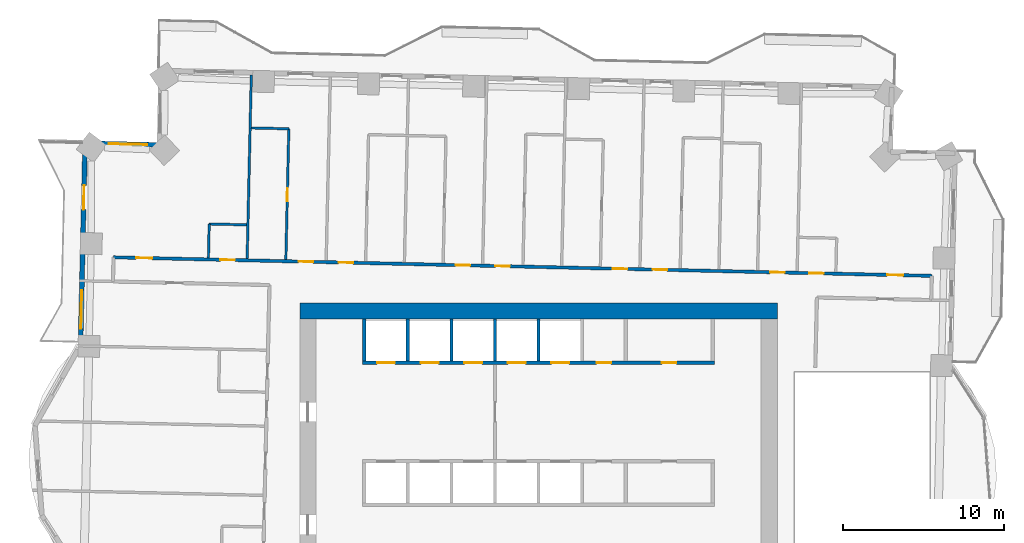
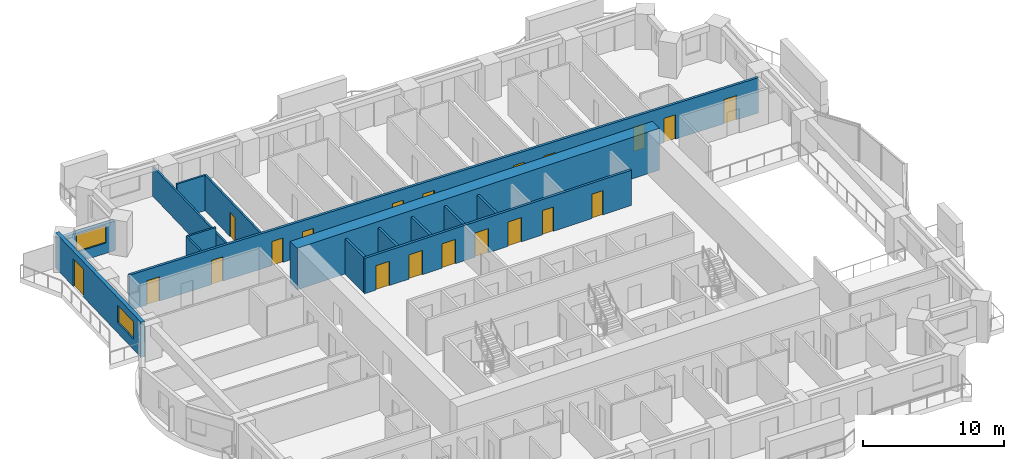
# One storey, part 10 of 16: 20 doors, 15 walls, 2 windows, 22 openings.
"""IFC4 building model written with IfcOpenShell, lengths in metres."""

from ifc_helpers import new_model, si_unit, direction, frame, frame_2d, origin, place, context, subcontext, project, spatial, rectangle, extrude, material, layer, layer_set, type_object, element, fill, save


model = new_model("IFC4")

# Units and contexts
model_context = context("Model", 3, precision=1e-05, world=origin(), true_north=direction((0.0, 1.0)))
body_context = subcontext(model_context, "Body", "Model", "MODEL_VIEW")
ifc_project = project(units=[si_unit("LENGTHUNIT", "METRE"), si_unit("AREAUNIT", "SQUARE_METRE"), si_unit("VOLUMEUNIT", "CUBIC_METRE"), si_unit("PLANEANGLEUNIT", "RADIAN"), si_unit("MASSUNIT", "GRAM", prefix="KILO")], contexts=[model_context])

# Site, building, storey
site_placement = place(None, origin())
site = spatial("IfcSite", under=ifc_project, at=site_placement, CompositionType="ELEMENT")
building_placement = place(site_placement, origin())
building = spatial("IfcBuilding", under=site, at=building_placement, Name="Mangrove Gate Tower", CompositionType="ELEMENT")
storey_placement = place(building_placement, frame((0.0, 0.0, 112.699951171875)))
storey = spatial("IfcBuildingStorey", under=building, at=storey_placement, Name="L28", CompositionType="ELEMENT", Elevation=112.699951171875)

# Wall, openings, doors
ifc_material_1 = material(Name="Concrete C70/85", Category="concrete")
ifc_layer_1 = layer(ifc_material_1, 0.199951171875)
ifc_layer_set_1 = layer_set([ifc_layer_1], Name="Core shaft wall 200 C70/85")
wall_type_1 = type_object("IfcWallType", Name="Core shaft wall 200 C70/85", PredefinedType="SHEAR", material=ifc_layer_set_1)
wall_1_placement = place(storey_placement, frame((-10.89990234375, 8.10009765625, 0.0), z_axis=(0.0, 0.0, 1.0), x_axis=(1.0, 0.0, 0.0)))
wall_1 = element("IfcWall", 1, at=wall_1_placement, inside=storey, type_object=wall_type_1, Name="WALL-L28-CORE-8", PredefinedType="SHEAR", context=body_context, shape_type="SweptSolid", body=[
    extrude(rectangle(XDim=21.7998046875, YDim=0.199951171875, at=frame_2d((10.89990234375, 0.0))), origin(), (0.0, 0.0, 1.0), 3.050048828125),
])
opening_1_placement = place(wall_1_placement, frame((0.89990234375, 0.0, 0.0)))
opening_1 = element("IfcOpeningElement", 2, at=opening_1_placement, cuts=wall_1, Name="Opening LD", PredefinedType="OPENING", context=body_context, shape_type="SweptSolid", body=[
    extrude(rectangle(XDim=1.10009765625, YDim=2.10009765625, at=frame_2d((0.550048828125, 1.050048828125))), frame((0.0, 0.10986328125, 0.0), z_axis=(0.0, -1.0, 0.0), x_axis=(1.0, 0.0, 0.0)), (0.0, 0.0, 1.0), 0.219970703125),
])
opening_2_placement = place(wall_1_placement, frame((3.60009765625, 0.0, 0.0)))
opening_2 = element("IfcOpeningElement", 3, at=opening_2_placement, cuts=wall_1, Name="Opening LD", PredefinedType="OPENING", context=body_context, shape_type="SweptSolid", body=[
    extrude(rectangle(XDim=1.10009765625, YDim=2.10009765625, at=frame_2d((0.550048828125, 1.050048828125))), frame((0.0, 0.10986328125, 0.0), z_axis=(0.0, -1.0, 0.0), x_axis=(1.0, 0.0, 0.0)), (0.0, 0.0, 1.0), 0.219970703125),
])
opening_3_placement = place(wall_1_placement, frame((6.300048828125, 0.0, 0.0)))
opening_3 = element("IfcOpeningElement", 4, at=opening_3_placement, cuts=wall_1, Name="Opening LD", PredefinedType="OPENING", context=body_context, shape_type="SweptSolid", body=[
    extrude(rectangle(XDim=1.10009765625, YDim=2.10009765625, at=frame_2d((0.550048828125, 1.050048828125))), frame((0.0, 0.10986328125, 0.0), z_axis=(0.0, -1.0, 0.0), x_axis=(1.0, 0.0, 0.0)), (0.0, 0.0, 1.0), 0.219970703125),
])
opening_4_placement = place(wall_1_placement, frame((9.0, 0.0, 0.0)))
opening_4 = element("IfcOpeningElement", 5, at=opening_4_placement, cuts=wall_1, Name="Opening LD", PredefinedType="OPENING", context=body_context, shape_type="SweptSolid", body=[
    extrude(rectangle(XDim=1.10009765625, YDim=2.10009765625, at=frame_2d((0.550048828125, 1.050048828125))), frame((0.0, 0.10986328125, 0.0), z_axis=(0.0, -1.0, 0.0), x_axis=(1.0, 0.0, 0.0)), (0.0, 0.0, 1.0), 0.219970703125),
])
opening_5_placement = place(wall_1_placement, frame((11.699951171875, 0.0, 0.0)))
opening_5 = element("IfcOpeningElement", 6, at=opening_5_placement, cuts=wall_1, Name="Opening LD", PredefinedType="OPENING", context=body_context, shape_type="SweptSolid", body=[
    extrude(rectangle(XDim=1.10009765625, YDim=2.10009765625, at=frame_2d((0.550048828125, 1.050048828125))), frame((0.0, 0.10986328125, 0.0), z_axis=(0.0, -1.0, 0.0), x_axis=(1.0, 0.0, 0.0)), (0.0, 0.0, 1.0), 0.219970703125),
])
opening_6_placement = place(wall_1_placement, frame((14.5, 0.0, 0.0)))
opening_6 = element("IfcOpeningElement", 7, at=opening_6_placement, cuts=wall_1, Name="Opening KD", PredefinedType="OPENING", context=body_context, shape_type="SweptSolid", body=[
    extrude(rectangle(XDim=0.89990234375, YDim=2.10009765625, at=frame_2d((0.449951171875, 1.050048828125))), frame((0.0, 0.10986328125, 0.0), z_axis=(0.0, -1.0, 0.0), x_axis=(1.0, 0.0, 0.0)), (0.0, 0.0, 1.0), 0.219970703125),
])
opening_7_placement = place(wall_1_placement, frame((18.550048828125, 0.0, 0.0)))
opening_7 = element("IfcOpeningElement", 8, at=opening_7_placement, cuts=wall_1, Name="Opening KD", PredefinedType="OPENING", context=body_context, shape_type="SweptSolid", body=[
    extrude(rectangle(XDim=0.89990234375, YDim=2.10009765625, at=frame_2d((0.449951171875, 1.050048828125))), frame((0.0, 0.10986328125, 0.0), z_axis=(0.0, -1.0, 0.0), x_axis=(1.0, 0.0, 0.0)), (0.0, 0.0, 1.0), 0.219970703125),
])
ifc_material_2 = material(Name="Fire-rated steel door set", Category="steel")
door_type_1 = type_object("IfcDoorType", Name="Core room door FD30S 900x2100", OperationType="SINGLE_SWING_RIGHT", PredefinedType="DOOR", material=ifc_material_2)
door_1_placement = place(opening_6_placement, origin())
door_1 = element("IfcDoor", 9, at=door_1_placement, inside=storey, type_object=door_type_1, Name="Core room door Pantry store", OperationType="SINGLE_SWING_RIGHT", OverallHeight=2.10009765625, OverallWidth=0.89990234375, PredefinedType="DOOR", context=body_context, shape_type="SweptSolid", body=[
    extrude(rectangle(XDim=0.89990234375, YDim=2.10009765625, at=frame_2d((0.449951171875, 1.050048828125))), frame((0.0, 0.02490234375, 0.0), z_axis=(0.0, -1.0, 0.0), x_axis=(1.0, 0.0, 0.0)), (0.0, 0.0, 1.0), 0.050048828125),
])
fill(opening_6, door_1)
door_2_placement = place(opening_7_placement, origin())
door_2 = element("IfcDoor", 10, at=door_2_placement, inside=storey, type_object=door_type_1, Name="Core room door Cleaner's store", OperationType="SINGLE_SWING_RIGHT", OverallHeight=2.10009765625, OverallWidth=0.89990234375, PredefinedType="DOOR", context=body_context, shape_type="SweptSolid", body=[
    extrude(rectangle(XDim=0.89990234375, YDim=2.10009765625, at=frame_2d((0.449951171875, 1.050048828125))), frame((0.0, 0.02490234375, 0.0), z_axis=(0.0, -1.0, 0.0), x_axis=(1.0, 0.0, 0.0)), (0.0, 0.0, 1.0), 0.050048828125),
])
fill(opening_7, door_2)
ifc_material_3 = material(Name="Stainless steel 316", Category="steel")
door_type_2 = type_object("IfcDoorType", Name="Lift landing door 1100x2100", OperationType="SLIDING_TO_LEFT", PredefinedType="DOOR", material=ifc_material_3)
door_3_placement = place(opening_1_placement, origin())
door_3 = element("IfcDoor", 11, at=door_3_placement, inside=storey, type_object=door_type_2, Name="Landing door LD P06", OperationType="SLIDING_TO_LEFT", OverallHeight=2.10009765625, OverallWidth=1.10009765625, PredefinedType="DOOR", context=body_context, shape_type="SweptSolid", body=[
    extrude(rectangle(XDim=1.10009765625, YDim=2.10009765625, at=frame_2d((0.550048828125, 1.050048828125))), frame((0.0, 0.02490234375, 0.0), z_axis=(0.0, -1.0, 0.0), x_axis=(1.0, 0.0, 0.0)), (0.0, 0.0, 1.0), 0.050048828125),
])
fill(opening_1, door_3)
door_4_placement = place(opening_2_placement, origin())
door_4 = element("IfcDoor", 12, at=door_4_placement, inside=storey, type_object=door_type_2, Name="Landing door LD P07", OperationType="SLIDING_TO_LEFT", OverallHeight=2.10009765625, OverallWidth=1.10009765625, PredefinedType="DOOR", context=body_context, shape_type="SweptSolid", body=[
    extrude(rectangle(XDim=1.10009765625, YDim=2.10009765625, at=frame_2d((0.550048828125, 1.050048828125))), frame((0.0, 0.02490234375, 0.0), z_axis=(0.0, -1.0, 0.0), x_axis=(1.0, 0.0, 0.0)), (0.0, 0.0, 1.0), 0.050048828125),
])
fill(opening_2, door_4)
door_5_placement = place(opening_3_placement, origin())
door_5 = element("IfcDoor", 13, at=door_5_placement, inside=storey, type_object=door_type_2, Name="Landing door LD P08", OperationType="SLIDING_TO_LEFT", OverallHeight=2.10009765625, OverallWidth=1.10009765625, PredefinedType="DOOR", context=body_context, shape_type="SweptSolid", body=[
    extrude(rectangle(XDim=1.10009765625, YDim=2.10009765625, at=frame_2d((0.550048828125, 1.050048828125))), frame((0.0, 0.02490234375, 0.0), z_axis=(0.0, -1.0, 0.0), x_axis=(1.0, 0.0, 0.0)), (0.0, 0.0, 1.0), 0.050048828125),
])
fill(opening_3, door_5)
door_6_placement = place(opening_4_placement, origin())
door_6 = element("IfcDoor", 14, at=door_6_placement, inside=storey, type_object=door_type_2, Name="Landing door LD P09", OperationType="SLIDING_TO_LEFT", OverallHeight=2.10009765625, OverallWidth=1.10009765625, PredefinedType="DOOR", context=body_context, shape_type="SweptSolid", body=[
    extrude(rectangle(XDim=1.10009765625, YDim=2.10009765625, at=frame_2d((0.550048828125, 1.050048828125))), frame((0.0, 0.02490234375, 0.0), z_axis=(0.0, -1.0, 0.0), x_axis=(1.0, 0.0, 0.0)), (0.0, 0.0, 1.0), 0.050048828125),
])
fill(opening_4, door_6)
door_7_placement = place(opening_5_placement, origin())
door_7 = element("IfcDoor", 15, at=door_7_placement, inside=storey, type_object=door_type_2, Name="Landing door LD P10", OperationType="SLIDING_TO_LEFT", OverallHeight=2.10009765625, OverallWidth=1.10009765625, PredefinedType="DOOR", context=body_context, shape_type="SweptSolid", body=[
    extrude(rectangle(XDim=1.10009765625, YDim=2.10009765625, at=frame_2d((0.550048828125, 1.050048828125))), frame((0.0, 0.02490234375, 0.0), z_axis=(0.0, -1.0, 0.0), x_axis=(1.0, 0.0, 0.0)), (0.0, 0.0, 1.0), 0.050048828125),
])
fill(opening_5, door_7)

# Walls
for number, where, z_axis, x_axis, name in (
    (16, (-10.800048828125, 8.199951171875, 0.0), (0.0, 0.0, 1.0), (0.0, 1.0, 0.0), "WALL-L28-CORE-27"),
    (17, (-8.10009765625, 8.199951171875, 0.0), (0.0, 0.0, 1.0), (0.0, 1.0, 0.0), "WALL-L28-CORE-28"),
    (18, (-5.39990234375, 8.199951171875, 0.0), (0.0, 0.0, 1.0), (0.0, 1.0, 0.0), "WALL-L28-CORE-29"),
    (19, (-2.699951171875, 8.199951171875, 0.0), (0.0, 0.0, 1.0), (0.0, 1.0, 0.0), "WALL-L28-CORE-30"),
    (20, (0.0, 8.199951171875, 0.0), (0.0, 0.0, 1.0), (0.0, 1.0, 0.0), "WALL-L28-CORE-31"),
):
    element("IfcWall", number, at=place(storey_placement, frame(where, z_axis=z_axis, x_axis=x_axis)), inside=storey, type_object=wall_type_1, Name=name, PredefinedType="SHEAR", context=body_context, shape_type="SweptSolid", body=[
        extrude(rectangle(XDim=2.60009765625, YDim=0.199951171875, at=frame_2d((1.300048828125, 0.0))), origin(), (0.0, 0.0, 1.0), 3.050048828125),
    ])
ifc_material_4 = material(Name="Concrete C70/85", Category="concrete")
ifc_layer_2 = layer(ifc_material_4, 1.0)
ifc_layer_set_2 = layer_set([ifc_layer_2], Name="Core wall 1000 C70/85")
wall_type_2 = type_object("IfcWallType", Name="Core wall 1000 C70/85", PredefinedType="SHEAR", material=ifc_layer_set_2)
wall_2_placement = place(storey_placement, frame((-14.800048828125, 11.300048828125, 0.0), z_axis=(0.0, 0.0, 1.0), x_axis=(1.0, 0.0, 0.0)))
element("IfcWall", 21, at=wall_2_placement, inside=storey, type_object=wall_type_2, Name="WALL-L28-CORE-2", PredefinedType="SHEAR", context=body_context, shape_type="SweptSolid", body=[
    extrude(rectangle(XDim=29.60009765625, YDim=1.0, at=frame_2d((14.800048828125, 0.0))), origin(), (0.0, 0.0, 1.0), 3.60009765625),
])

# Wall, openings, doors
ifc_material_5 = material(Name="Gypsum board on steel stud, EI 60", Category="steel")
ifc_layer_3 = layer(ifc_material_5, 0.199951171875)
ifc_layer_set_3 = layer_set([ifc_layer_3], Name="Corridor wall EI 60")
wall_type_3 = type_object("IfcWallType", Name="Corridor wall EI 60", PredefinedType="PARTITIONING", material=ifc_layer_set_3)
wall_3_placement = place(storey_placement, frame((-26.341064453125, 14.635009765625, 0.0), z_axis=(0.0, 0.0, 1.0), x_axis=(0.999742553034, -0.02268981385, 0.0)))
wall_3 = element("IfcWall", 22, at=wall_3_placement, inside=storey, type_object=wall_type_3, Name="WALL-L28-051", PredefinedType="PARTITIONING", context=body_context, shape_type="SweptSolid", body=[
    extrude(rectangle(XDim=50.73291015625, YDim=0.199951171875, at=frame_2d((25.366455078125, 0.0))), origin(), (0.0, 0.0, 1.0), 3.050048828125),
])
opening_8_placement = place(wall_3_placement, frame((47.9541015625, 0.0, 0.0)))
opening_8 = element("IfcOpeningElement", 23, at=opening_8_placement, cuts=wall_3, Name="Opening AD", PredefinedType="OPENING", context=body_context, shape_type="SweptSolid", body=[
    extrude(rectangle(XDim=1.0, YDim=2.10009765625, at=frame_2d((0.5, 1.050048828125))), frame((0.0, 0.10986328125, 0.0), z_axis=(0.0, -1.0, 0.0), x_axis=(1.0, 0.0, 0.0)), (0.0, 0.0, 1.0), 0.219970703125),
])
opening_9_placement = place(wall_3_placement, frame((43.125, 0.0, 0.0)))
opening_9 = element("IfcOpeningElement", 24, at=opening_9_placement, cuts=wall_3, Name="Opening SD", PredefinedType="OPENING", context=body_context, shape_type="SweptSolid", body=[
    extrude(rectangle(XDim=0.89990234375, YDim=2.10009765625, at=frame_2d((0.449951171875, 1.050048828125))), frame((0.0, 0.10986328125, 0.0), z_axis=(0.0, -1.0, 0.0), x_axis=(1.0, 0.0, 0.0)), (0.0, 0.0, 1.0), 0.219970703125),
])
opening_10_placement = place(wall_3_placement, frame((40.699951171875, 0.0, 0.0)))
opening_10 = element("IfcOpeningElement", 25, at=opening_10_placement, cuts=wall_3, Name="Opening BD", PredefinedType="OPENING", context=body_context, shape_type="SweptSolid", body=[
    extrude(rectangle(XDim=0.89990234375, YDim=2.10009765625, at=frame_2d((0.449951171875, 1.050048828125))), frame((0.0, 0.10986328125, 0.0), z_axis=(0.0, -1.0, 0.0), x_axis=(1.0, 0.0, 0.0)), (0.0, 0.0, 1.0), 0.219970703125),
])
opening_11_placement = place(wall_3_placement, frame((33.425048828125, 0.0, 0.0)))
opening_11 = element("IfcOpeningElement", 26, at=opening_11_placement, cuts=wall_3, Name="Opening BD", PredefinedType="OPENING", context=body_context, shape_type="SweptSolid", body=[
    extrude(rectangle(XDim=0.89990234375, YDim=2.10009765625, at=frame_2d((0.449951171875, 1.050048828125))), frame((0.0, 0.10986328125, 0.0), z_axis=(0.0, -1.0, 0.0), x_axis=(1.0, 0.0, 0.0)), (0.0, 0.0, 1.0), 0.219970703125),
])
opening_12_placement = place(wall_3_placement, frame((30.949951171875, 0.0, 0.0)))
opening_12 = element("IfcOpeningElement", 27, at=opening_12_placement, cuts=wall_3, Name="Opening BD", PredefinedType="OPENING", context=body_context, shape_type="SweptSolid", body=[
    extrude(rectangle(XDim=0.89990234375, YDim=2.10009765625, at=frame_2d((0.449951171875, 1.050048828125))), frame((0.0, 0.10986328125, 0.0), z_axis=(0.0, -1.0, 0.0), x_axis=(1.0, 0.0, 0.0)), (0.0, 0.0, 1.0), 0.219970703125),
])
opening_13_placement = place(wall_3_placement, frame((23.675048828125, 0.0, 0.0)))
opening_13 = element("IfcOpeningElement", 28, at=opening_13_placement, cuts=wall_3, Name="Opening BD", PredefinedType="OPENING", context=body_context, shape_type="SweptSolid", body=[
    extrude(rectangle(XDim=0.89990234375, YDim=2.10009765625, at=frame_2d((0.449951171875, 1.050048828125))), frame((0.0, 0.10986328125, 0.0), z_axis=(0.0, -1.0, 0.0), x_axis=(1.0, 0.0, 0.0)), (0.0, 0.0, 1.0), 0.219970703125),
])
opening_14_placement = place(wall_3_placement, frame((21.199951171875, 0.0, 0.0)))
opening_14 = element("IfcOpeningElement", 29, at=opening_14_placement, cuts=wall_3, Name="Opening BD", PredefinedType="OPENING", context=body_context, shape_type="SweptSolid", body=[
    extrude(rectangle(XDim=0.89990234375, YDim=2.10009765625, at=frame_2d((0.449951171875, 1.050048828125))), frame((0.0, 0.10986328125, 0.0), z_axis=(0.0, -1.0, 0.0), x_axis=(1.0, 0.0, 0.0)), (0.0, 0.0, 1.0), 0.219970703125),
])
opening_15_placement = place(wall_3_placement, frame((13.949951171875, 0.0, 0.0)))
opening_15 = element("IfcOpeningElement", 30, at=opening_15_placement, cuts=wall_3, Name="Opening BD", PredefinedType="OPENING", context=body_context, shape_type="SweptSolid", body=[
    extrude(rectangle(XDim=0.89990234375, YDim=2.10009765625, at=frame_2d((0.449951171875, 1.050048828125))), frame((0.0, 0.10986328125, 0.0), z_axis=(0.0, -1.0, 0.0), x_axis=(1.0, 0.0, 0.0)), (0.0, 0.0, 1.0), 0.219970703125),
])
opening_16_placement = place(wall_3_placement, frame((11.47509765625, 0.0, 0.0)))
opening_16 = element("IfcOpeningElement", 31, at=opening_16_placement, cuts=wall_3, Name="Opening BD", PredefinedType="OPENING", context=body_context, shape_type="SweptSolid", body=[
    extrude(rectangle(XDim=0.89990234375, YDim=2.10009765625, at=frame_2d((0.449951171875, 1.050048828125))), frame((0.0, 0.10986328125, 0.0), z_axis=(0.0, -1.0, 0.0), x_axis=(1.0, 0.0, 0.0)), (0.0, 0.0, 1.0), 0.219970703125),
])
opening_17_placement = place(wall_3_placement, frame((1.39990234375, 0.0, 0.0)))
opening_17 = element("IfcOpeningElement", 32, at=opening_17_placement, cuts=wall_3, Name="Opening AD", PredefinedType="OPENING", context=body_context, shape_type="SweptSolid", body=[
    extrude(rectangle(XDim=1.0, YDim=2.10009765625, at=frame_2d((0.5, 1.050048828125))), frame((0.0, 0.10986328125, 0.0), z_axis=(0.0, -1.0, 0.0), x_axis=(1.0, 0.0, 0.0)), (0.0, 0.0, 1.0), 0.219970703125),
])
opening_18_placement = place(wall_3_placement, frame((6.625, 0.0, 0.0)))
opening_18 = element("IfcOpeningElement", 33, at=opening_18_placement, cuts=wall_3, Name="Opening SD", PredefinedType="OPENING", context=body_context, shape_type="SweptSolid", body=[
    extrude(rectangle(XDim=0.89990234375, YDim=2.10009765625, at=frame_2d((0.449951171875, 1.050048828125))), frame((0.0, 0.10986328125, 0.0), z_axis=(0.0, -1.0, 0.0), x_axis=(1.0, 0.0, 0.0)), (0.0, 0.0, 1.0), 0.219970703125),
])
ifc_material_6 = material(Name="Timber door leaf", Category="wood")
door_type_3 = type_object("IfcDoorType", Name="Amenity door 1000", OperationType="SINGLE_SWING_LEFT", PredefinedType="DOOR", material=ifc_material_6)
door_8_placement = place(opening_8_placement, origin())
door_8 = element("IfcDoor", 34, at=door_8_placement, inside=storey, type_object=door_type_3, Name="DOOR-L28-KIT-c3b", OperationType="SINGLE_SWING_LEFT", OverallHeight=2.10009765625, OverallWidth=1.0, PredefinedType="DOOR", context=body_context, shape_type="SweptSolid", body=[
    extrude(rectangle(XDim=1.0, YDim=2.10009765625, at=frame_2d((0.5, 1.050048828125))), frame((0.0, 0.02490234375, 0.0), z_axis=(0.0, -1.0, 0.0), x_axis=(1.0, 0.0, 0.0)), (0.0, 0.0, 1.0), 0.050048828125),
])
fill(opening_8, door_8)
door_9_placement = place(opening_17_placement, origin())
door_9 = element("IfcDoor", 35, at=door_9_placement, inside=storey, type_object=door_type_3, Name="DOOR-L28-KIT-c5a", OperationType="SINGLE_SWING_RIGHT", OverallHeight=2.10009765625, OverallWidth=1.0, PredefinedType="DOOR", context=body_context, shape_type="SweptSolid", body=[
    extrude(rectangle(XDim=1.0, YDim=2.10009765625, at=frame_2d((0.5, 1.050048828125))), frame((0.0, 0.02490234375, 0.0), z_axis=(0.0, -1.0, 0.0), x_axis=(1.0, 0.0, 0.0)), (0.0, 0.0, 1.0), 0.050048828125),
])
fill(opening_17, door_9)
ifc_material_7 = material(Name="Timber door leaf", Category="wood")
door_type_4 = type_object("IfcDoorType", Name="Bedroom door 900", OperationType="SINGLE_SWING_LEFT", PredefinedType="DOOR", material=ifc_material_7)
door_10_placement = place(opening_10_placement, origin())
door_10 = element("IfcDoor", 36, at=door_10_placement, inside=storey, type_object=door_type_4, Name="DOOR-L28-BED-c309", OperationType="SINGLE_SWING_LEFT", OverallHeight=2.10009765625, OverallWidth=0.89990234375, PredefinedType="DOOR", context=body_context, shape_type="SweptSolid", body=[
    extrude(rectangle(XDim=0.89990234375, YDim=2.10009765625, at=frame_2d((0.449951171875, 1.050048828125))), frame((0.0, 0.02490234375, 0.0), z_axis=(0.0, -1.0, 0.0), x_axis=(1.0, 0.0, 0.0)), (0.0, 0.0, 1.0), 0.050048828125),
])
fill(opening_10, door_10)
door_11_placement = place(opening_11_placement, origin())
door_11 = element("IfcDoor", 37, at=door_11_placement, inside=storey, type_object=door_type_4, Name="DOOR-L28-BED-c410", OperationType="SINGLE_SWING_RIGHT", OverallHeight=2.10009765625, OverallWidth=0.89990234375, PredefinedType="DOOR", context=body_context, shape_type="SweptSolid", body=[
    extrude(rectangle(XDim=0.89990234375, YDim=2.10009765625, at=frame_2d((0.449951171875, 1.050048828125))), frame((0.0, 0.02490234375, 0.0), z_axis=(0.0, -1.0, 0.0), x_axis=(1.0, 0.0, 0.0)), (0.0, 0.0, 1.0), 0.050048828125),
])
fill(opening_11, door_11)
door_12_placement = place(opening_12_placement, origin())
door_12 = element("IfcDoor", 38, at=door_12_placement, inside=storey, type_object=door_type_4, Name="DOOR-L28-BED-c411", OperationType="SINGLE_SWING_LEFT", OverallHeight=2.10009765625, OverallWidth=0.89990234375, PredefinedType="DOOR", context=body_context, shape_type="SweptSolid", body=[
    extrude(rectangle(XDim=0.89990234375, YDim=2.10009765625, at=frame_2d((0.449951171875, 1.050048828125))), frame((0.0, 0.02490234375, 0.0), z_axis=(0.0, -1.0, 0.0), x_axis=(1.0, 0.0, 0.0)), (0.0, 0.0, 1.0), 0.050048828125),
])
fill(opening_12, door_12)
door_13_placement = place(opening_13_placement, origin())
door_13 = element("IfcDoor", 39, at=door_13_placement, inside=storey, type_object=door_type_4, Name="DOOR-L28-BED-c412", OperationType="SINGLE_SWING_RIGHT", OverallHeight=2.10009765625, OverallWidth=0.89990234375, PredefinedType="DOOR", context=body_context, shape_type="SweptSolid", body=[
    extrude(rectangle(XDim=0.89990234375, YDim=2.10009765625, at=frame_2d((0.449951171875, 1.050048828125))), frame((0.0, 0.02490234375, 0.0), z_axis=(0.0, -1.0, 0.0), x_axis=(1.0, 0.0, 0.0)), (0.0, 0.0, 1.0), 0.050048828125),
])
fill(opening_13, door_13)
door_14_placement = place(opening_14_placement, origin())
door_14 = element("IfcDoor", 40, at=door_14_placement, inside=storey, type_object=door_type_4, Name="DOOR-L28-BED-c513", OperationType="SINGLE_SWING_LEFT", OverallHeight=2.10009765625, OverallWidth=0.89990234375, PredefinedType="DOOR", context=body_context, shape_type="SweptSolid", body=[
    extrude(rectangle(XDim=0.89990234375, YDim=2.10009765625, at=frame_2d((0.449951171875, 1.050048828125))), frame((0.0, 0.02490234375, 0.0), z_axis=(0.0, -1.0, 0.0), x_axis=(1.0, 0.0, 0.0)), (0.0, 0.0, 1.0), 0.050048828125),
])
fill(opening_14, door_14)
door_15_placement = place(opening_15_placement, origin())
door_15 = element("IfcDoor", 41, at=door_15_placement, inside=storey, type_object=door_type_4, Name="DOOR-L28-BED-c514", OperationType="SINGLE_SWING_RIGHT", OverallHeight=2.10009765625, OverallWidth=0.89990234375, PredefinedType="DOOR", context=body_context, shape_type="SweptSolid", body=[
    extrude(rectangle(XDim=0.89990234375, YDim=2.10009765625, at=frame_2d((0.449951171875, 1.050048828125))), frame((0.0, 0.02490234375, 0.0), z_axis=(0.0, -1.0, 0.0), x_axis=(1.0, 0.0, 0.0)), (0.0, 0.0, 1.0), 0.050048828125),
])
fill(opening_15, door_15)
door_16_placement = place(opening_16_placement, origin())
door_16 = element("IfcDoor", 42, at=door_16_placement, inside=storey, type_object=door_type_4, Name="DOOR-L28-BED-c515", OperationType="SINGLE_SWING_LEFT", OverallHeight=2.10009765625, OverallWidth=0.89990234375, PredefinedType="DOOR", context=body_context, shape_type="SweptSolid", body=[
    extrude(rectangle(XDim=0.89990234375, YDim=2.10009765625, at=frame_2d((0.449951171875, 1.050048828125))), frame((0.0, 0.02490234375, 0.0), z_axis=(0.0, -1.0, 0.0), x_axis=(1.0, 0.0, 0.0)), (0.0, 0.0, 1.0), 0.050048828125),
])
fill(opening_16, door_16)
ifc_material_8 = material(Name="Timber door leaf", Category="wood")
door_type_5 = type_object("IfcDoorType", Name="Service room door 900", OperationType="SINGLE_SWING_LEFT", PredefinedType="DOOR", material=ifc_material_8)
door_17_placement = place(opening_9_placement, origin())
door_17 = element("IfcDoor", 43, at=door_17_placement, inside=storey, type_object=door_type_5, Name="DOOR-L28-LIN-c3b", OperationType="SINGLE_SWING_RIGHT", OverallHeight=2.10009765625, OverallWidth=0.89990234375, PredefinedType="DOOR", context=body_context, shape_type="SweptSolid", body=[
    extrude(rectangle(XDim=0.89990234375, YDim=2.10009765625, at=frame_2d((0.449951171875, 1.050048828125))), frame((0.0, 0.02490234375, 0.0), z_axis=(0.0, -1.0, 0.0), x_axis=(1.0, 0.0, 0.0)), (0.0, 0.0, 1.0), 0.050048828125),
])
fill(opening_9, door_17)
door_18_placement = place(opening_18_placement, origin())
door_18 = element("IfcDoor", 44, at=door_18_placement, inside=storey, type_object=door_type_5, Name="DOOR-L28-LIN-c5a", OperationType="SINGLE_SWING_LEFT", OverallHeight=2.10009765625, OverallWidth=0.89990234375, PredefinedType="DOOR", context=body_context, shape_type="SweptSolid", body=[
    extrude(rectangle(XDim=0.89990234375, YDim=2.10009765625, at=frame_2d((0.449951171875, 1.050048828125))), frame((0.0, 0.02490234375, 0.0), z_axis=(0.0, -1.0, 0.0), x_axis=(1.0, 0.0, 0.0)), (0.0, 0.0, 1.0), 0.050048828125),
])
fill(opening_18, door_18)

# Wall, opening, window
ifc_material_9 = material(Name="Limestone", Category="masonry")
ifc_layer_4 = layer(ifc_material_9, 0.0400390625, Name="Limestone cladding")
ifc_material_10 = material(Name="Ventilated air gap")
ifc_layer_5 = layer(ifc_material_10, 0.0400390625, Name="Ventilated cavity")
ifc_material_11 = material(Name="Mineral wool insulation")
ifc_layer_6 = layer(ifc_material_11, 0.06005859375, Name="Insulation")
ifc_material_12 = material(Name="Breather membrane")
ifc_layer_7 = layer(ifc_material_12, 0.001953125, Name="Breather membrane")
ifc_material_13 = material(Name="Concrete C20/25 blockwork", Category="masonry")
ifc_layer_8 = layer(ifc_material_13, 0.14990234375, Name="Blockwork backing wall")
ifc_material_14 = material(Name="Gypsum plaster")
ifc_layer_9 = layer(ifc_material_14, 0.008056640625, Name="Internal plaster")
ifc_layer_set_4 = layer_set([ifc_layer_4, ifc_layer_5, ifc_layer_6, ifc_layer_7, ifc_layer_8, ifc_layer_9], Name="External wall 300 limestone cladding")
wall_type_4 = type_object("IfcWallType", Name="External wall 300 limestone cladding", PredefinedType="SOLIDWALL", material=ifc_layer_set_4)
wall_4_placement = place(storey_placement, frame((-23.507080078125, 21.60205078125, 0.0), z_axis=(0.0, 0.0, 1.0), x_axis=(-0.999739556364, 0.022821468877, 0.0)))
wall_4 = element("IfcWall", 45, at=wall_4_placement, inside=storey, type_object=wall_type_4, Name="WALL-L28-N7", PredefinedType="SOLIDWALL", context=body_context, shape_type="SweptSolid", body=[
    extrude(rectangle(XDim=4.60009765625, YDim=0.300048828125, at=frame_2d((2.300048828125, 0.0))), origin(), (0.0, 0.0, 1.0), 2.550048828125),
])
opening_19_placement = place(wall_4_placement, frame((0.743896484375, 0.0, 0.89990234375)))
opening_19 = element("IfcOpeningElement", 46, at=opening_19_placement, cuts=wall_4, Name="Opening W2", PredefinedType="OPENING", context=body_context, shape_type="SweptSolid", body=[
    extrude(rectangle(XDim=2.39990234375, YDim=1.5, at=frame_2d((1.199951171875, 0.75))), frame((0.0, 0.159912109375, 0.0), z_axis=(0.0, -1.0, 0.0), x_axis=(1.0, 0.0, 0.0)), (0.0, 0.0, 1.0), 0.320068359375),
])
ifc_material_15 = material(Name="Aluminium frame with double-glazed low-e glass", Category="aluminium")
window_type = type_object("IfcWindowType", Name="Corner room window 2400x1500", PartitioningType="DOUBLE_PANEL_VERTICAL", PredefinedType="WINDOW", material=ifc_material_15)
window_1_placement = place(opening_19_placement, origin())
window_1 = element("IfcWindow", 47, at=window_1_placement, inside=storey, type_object=window_type, Name="WIN-L28-N7-1", OverallHeight=1.5, OverallWidth=2.39990234375, PartitioningType="DOUBLE_PANEL_VERTICAL", PredefinedType="WINDOW", context=body_context, shape_type="SweptSolid", body=[
    extrude(rectangle(XDim=2.39990234375, YDim=1.5, at=frame_2d((1.199951171875, 0.75))), frame((0.0, 0.030029296875, 0.0), z_axis=(0.0, -1.0, 0.0), x_axis=(1.0, 0.0, 0.0)), (0.0, 0.0, 1.0), 0.06005859375),
])
fill(opening_19, window_1)

# Wall, openings, door, window
wall_5_placement = place(storey_placement, frame((-28.10595703125, 21.70703125, 0.0), z_axis=(0.0, 0.0, 1.0), x_axis=(-0.022654663697, -0.999743350172, 0.0)))
wall_5 = element("IfcWall", 48, at=wall_5_placement, inside=storey, type_object=wall_type_4, Name="WALL-L28-W8", PredefinedType="SOLIDWALL", context=body_context, shape_type="SweptSolid", body=[
    extrude(rectangle(XDim=12.630126953125, YDim=0.300048828125, at=frame_2d((6.31494140625, 0.0))), origin(), (0.0, 0.0, 1.0), 3.050048828125),
])
opening_20_placement = place(wall_5_placement, frame((2.613037109375, 0.0, 0.0)))
opening_20 = element("IfcOpeningElement", 49, at=opening_20_placement, cuts=wall_5, Name="Opening BD1", PredefinedType="OPENING", context=body_context, shape_type="SweptSolid", body=[
    extrude(rectangle(XDim=1.5, YDim=2.39990234375, at=frame_2d((0.75, 1.199951171875))), frame((0.0, 0.159912109375, 0.0), z_axis=(0.0, -1.0, 0.0), x_axis=(1.0, 0.0, 0.0)), (0.0, 0.0, 1.0), 0.320068359375),
])
opening_21_placement = place(wall_5_placement, frame((9.113037109375, 0.0, 0.89990234375)))
opening_21 = element("IfcOpeningElement", 50, at=opening_21_placement, cuts=wall_5, Name="Opening W2", PredefinedType="OPENING", context=body_context, shape_type="SweptSolid", body=[
    extrude(rectangle(XDim=2.39990234375, YDim=1.5, at=frame_2d((1.199951171875, 0.75))), frame((0.0, 0.159912109375, 0.0), z_axis=(0.0, -1.0, 0.0), x_axis=(1.0, 0.0, 0.0)), (0.0, 0.0, 1.0), 0.320068359375),
])
ifc_material_16 = material(Name="Aluminium frame with laminated clear glass", Category="aluminium")
door_type_6 = type_object("IfcDoorType", Name="Balcony sliding door 1500x2400", OperationType="SLIDING_TO_LEFT", PredefinedType="DOOR", material=ifc_material_16)
door_19_placement = place(opening_20_placement, origin())
door_19 = element("IfcDoor", 51, at=door_19_placement, inside=storey, type_object=door_type_6, Name="DOOR-L28-W8-1", OperationType="SLIDING_TO_LEFT", OverallHeight=2.39990234375, OverallWidth=1.5, PredefinedType="DOOR", context=body_context, shape_type="SweptSolid", body=[
    extrude(rectangle(XDim=1.5, YDim=2.39990234375, at=frame_2d((0.75, 1.199951171875))), frame((0.0, 0.02490234375, 0.0), z_axis=(0.0, -1.0, 0.0), x_axis=(1.0, 0.0, 0.0)), (0.0, 0.0, 1.0), 0.050048828125),
])
fill(opening_20, door_19)
window_2_placement = place(opening_21_placement, origin())
window_2 = element("IfcWindow", 52, at=window_2_placement, inside=storey, type_object=window_type, Name="WIN-L28-W8-2", OverallHeight=1.5, OverallWidth=2.39990234375, PartitioningType="DOUBLE_PANEL_VERTICAL", PredefinedType="WINDOW", context=body_context, shape_type="SweptSolid", body=[
    extrude(rectangle(XDim=2.39990234375, YDim=1.5, at=frame_2d((1.199951171875, 0.75))), frame((0.0, 0.030029296875, 0.0), z_axis=(0.0, -1.0, 0.0), x_axis=(1.0, 0.0, 0.0)), (0.0, 0.0, 1.0), 0.06005859375),
])
fill(opening_21, window_2)

# Walls
ifc_material_17 = material(Name="Gypsum board on steel stud, EI 60", Category="steel")
ifc_layer_10 = layer(ifc_material_17, 0.14990234375)
ifc_layer_set_5 = layer_set([ifc_layer_10], Name="Party wall 150 EI 60")
wall_type_5 = type_object("IfcWallType", Name="Party wall 150 EI 60", PredefinedType="PARTITIONING", material=ifc_layer_set_5)
wall_6_placement = place(storey_placement, frame((-20.4609375, 14.60498046875, 0.0), z_axis=(0.0, 0.0, 1.0), x_axis=(0.022779486249, 0.999740513837, 0.0)))
element("IfcWall", 53, at=wall_6_placement, inside=storey, type_object=wall_type_5, Name="WALL-L28-052", PredefinedType="PARTITIONING", context=body_context, shape_type="SweptSolid", body=[
    extrude(rectangle(XDim=2.1005859375, YDim=0.14990234375, at=frame_2d((1.05029296875, 0.0))), origin(), (0.0, 0.0, 1.0), 3.050048828125),
])
wall_7_placement = place(storey_placement, frame((-18.06201171875, 14.551025390625, 0.0), z_axis=(0.0, 0.0, 1.0), x_axis=(0.022770155219, 0.999740726404, 0.0)))
element("IfcWall", 54, at=wall_7_placement, inside=storey, type_object=wall_type_5, Name="WALL-L28-053", PredefinedType="PARTITIONING", context=body_context, shape_type="SweptSolid", body=[
    extrude(rectangle(XDim=11.3759765625, YDim=0.14990234375, at=frame_2d((5.68798828125, 0.0))), origin(), (0.0, 0.0, 1.0), 2.550048828125),
])

# Wall, opening, door
wall_8_placement = place(storey_placement, frame((-15.662109375, 14.49609375, 0.0), z_axis=(0.0, 0.0, 1.0), x_axis=(0.022698155442, 0.999742363682, 0.0)))
wall_8 = element("IfcWall", 55, at=wall_8_placement, inside=storey, type_object=wall_type_5, Name="WALL-L28-054", PredefinedType="PARTITIONING", context=body_context, shape_type="SweptSolid", body=[
    extrude(rectangle(XDim=8.110107421875, YDim=0.14990234375, at=frame_2d((4.05517578125, 0.0))), origin(), (0.0, 0.0, 1.0), 3.050048828125),
])
opening_22_placement = place(wall_8_placement, frame((3.60498046875, 0.0, 0.0)))
opening_22 = element("IfcOpeningElement", 56, at=opening_22_placement, cuts=wall_8, Name="Opening ED", PredefinedType="OPENING", context=body_context, shape_type="SweptSolid", body=[
    extrude(rectangle(XDim=0.800048828125, YDim=2.10009765625, at=frame_2d((0.39990234375, 1.050048828125))), frame((0.0, 0.0849609375, 0.0), z_axis=(0.0, -1.0, 0.0), x_axis=(1.0, 0.0, 0.0)), (0.0, 0.0, 1.0), 0.169921875),
])
ifc_material_18 = material(Name="Timber door leaf", Category="wood")
door_type_7 = type_object("IfcDoorType", Name="En-suite door 800", OperationType="SINGLE_SWING_LEFT", PredefinedType="DOOR", material=ifc_material_18)
door_20_placement = place(opening_22_placement, origin())
door_20 = element("IfcDoor", 57, at=door_20_placement, inside=storey, type_object=door_type_7, Name="DOOR-L28-ENS-c515", OperationType="SINGLE_SWING_LEFT", OverallHeight=2.10009765625, OverallWidth=0.800048828125, PredefinedType="DOOR", context=body_context, shape_type="SweptSolid", body=[
    extrude(rectangle(XDim=0.800048828125, YDim=2.10009765625, at=frame_2d((0.39990234375, 1.050048828125))), frame((0.0, 0.02490234375, 0.0), z_axis=(0.0, -1.0, 0.0), x_axis=(1.0, 0.0, 0.0)), (0.0, 0.0, 1.0), 0.050048828125),
])
fill(opening_22, door_20)

# Walls
wall_9_placement = place(storey_placement, frame((-20.4169921875, 16.700927734375, 0.0), z_axis=(0.0, 0.0, 1.0), x_axis=(0.999740260747, -0.02279059109, 0.0)))
element("IfcWall", 58, at=wall_9_placement, inside=storey, type_object=wall_type_5, Name="WALL-L28-069", PredefinedType="PARTITIONING", context=body_context, shape_type="SweptSolid", body=[
    extrude(rectangle(XDim=2.324462890625, YDim=0.14990234375, at=frame_2d((1.162109375, 0.0))), origin(), (0.0, 0.0, 1.0), 3.050048828125),
])
wall_10_placement = place(storey_placement, frame((-17.806884765625, 22.653076171875, 0.0), z_axis=(0.0, 0.0, 1.0), x_axis=(0.999740478815, -0.022781023197, 0.0)))
element("IfcWall", 59, at=wall_10_placement, inside=storey, type_object=wall_type_5, Name="WALL-L28-074", PredefinedType="PARTITIONING", context=body_context, shape_type="SweptSolid", body=[
    extrude(rectangle(XDim=2.325439453125, YDim=0.14990234375, at=frame_2d((1.16259765625, 0.0))), origin(), (0.0, 0.0, 1.0), 3.050048828125),
])

save(model, "model.ifc")
